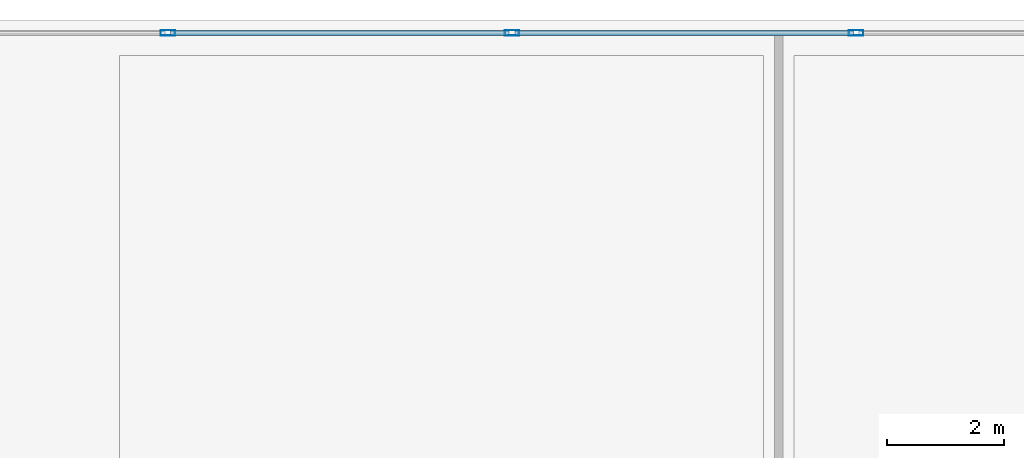
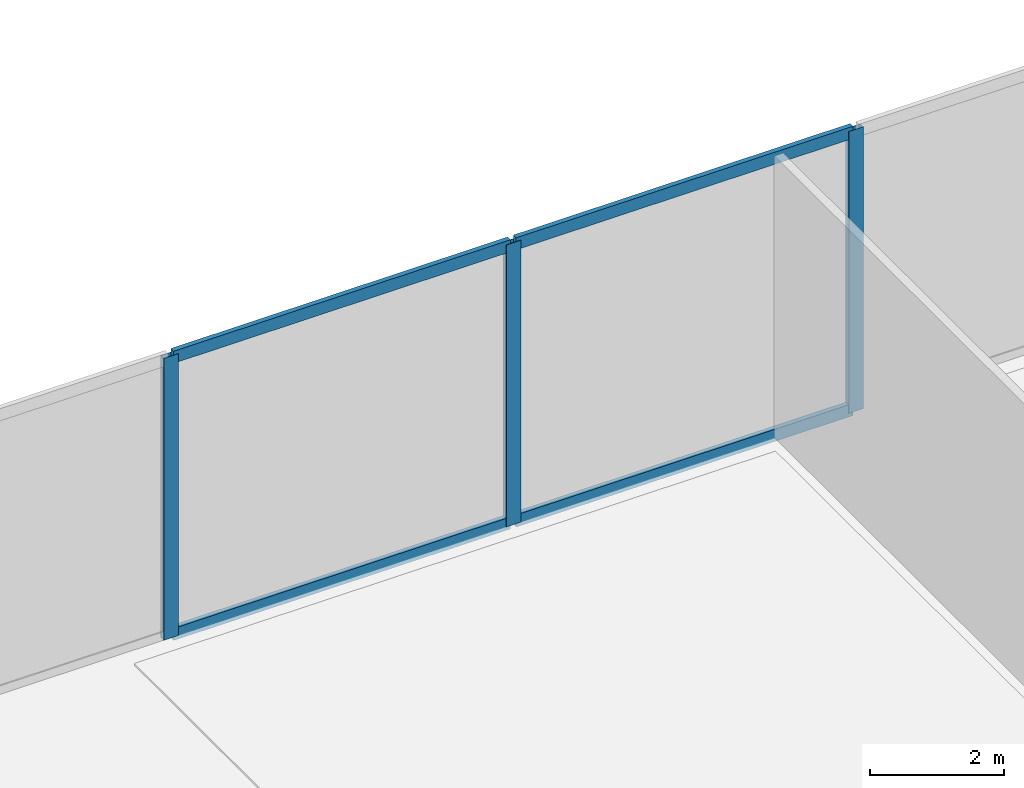
# One storey, part 17 of 27: 7 members, 1 element without a shape of its own.
"""IFC4 building model written with IfcOpenShell, lengths in metres."""

from ifc_helpers import new_model, si_unit, direction, frame, origin, origin_2d, place, context, subcontext, project, spatial, hollow_rectangle, extrude, material, layer, layer_set, material_profile, profile_set, type_object, element, aggregate, save


model = new_model("IFC4")

# Units and contexts
model_context = context("Model", 3, precision=1e-05, world=origin(), true_north=direction((0.0, 1.0)))
body_context = subcontext(model_context, "Body", "Model", "MODEL_VIEW")
ifc_project = project(units=[si_unit("LENGTHUNIT", "METRE"), si_unit("AREAUNIT", "SQUARE_METRE"), si_unit("VOLUMEUNIT", "CUBIC_METRE"), si_unit("PLANEANGLEUNIT", "RADIAN"), si_unit("MASSUNIT", "GRAM", prefix="KILO"), si_unit("THERMODYNAMICTEMPERATUREUNIT", "KELVIN"), si_unit("POWERUNIT", "WATT")], contexts=[model_context])

# Site, building, storey
site_placement = place(None, origin())
site = spatial("IfcSite", under=ifc_project, at=site_placement, CompositionType="ELEMENT")
building_placement = place(site_placement, origin())
building = spatial("IfcBuilding", under=site, at=building_placement, Name="Svarakhadi Broadcast Tower", CompositionType="ELEMENT")
storey_placement = place(building_placement, frame((0.0, 0.0, 16.5)))
storey = spatial("IfcBuildingStorey", under=building, at=storey_placement, Name="L03", CompositionType="ELEMENT", Elevation=16.5)

# Curtain wall, members
ifc_material = material(Name="Anodised Bronze Aluminium AA 6063-T6", Category="aluminium")
ifc_layer = layer(ifc_material, 0.25)
ifc_layer_set = layer_set([ifc_layer], Name="Anodised Bronze Aluminium AA 6063-T6")
curtain_wall_type = type_object("IfcCurtainWallType", Name="CW_Sys_01", PredefinedType="NOTDEFINED", material=ifc_layer_set)
curtain_wall_placement = place(storey_placement, origin())
curtain_wall = element("IfcCurtainWall", 1, at=curtain_wall_placement, inside=storey, type_object=curtain_wall_type, Name="L03 Unitised Facade Curtain Wall 05 Bay 2", PredefinedType="NOTDEFINED")
ifc_material_profile_1 = material_profile(ifc_material, hollow_rectangle(XDim=0.094970703125, YDim=0.25, WallThickness=0.006103515625, at=origin_2d()), Name="ALU MULLION 250x95x6")
ifc_profile_set_1 = profile_set([ifc_material_profile_1], Name="Anodised Bronze Aluminium AA 6063-T6")
member_type_1 = type_object("IfcMemberType", Name="CW_Sys_01_Mul", PredefinedType="MULLION", material=ifc_profile_set_1)
member_1_placement = place(storey_placement, frame((36.340087890625, 47.780029296875, 0.0), z_axis=(0.0, 0.0, 1.0), x_axis=(0.0, 1.0, 0.0)))
member_1 = element("IfcMember", 2, at=member_1_placement, type_object=member_type_1, Name="CW-01 mullion 5", PredefinedType="MULLION", context=body_context, shape_type="SweptSolid", body=[
    extrude(hollow_rectangle(XDim=0.094970703125, YDim=0.25, WallThickness=0.006103515625, at=origin_2d()), origin(), (0.0, 0.0, 1.0), 5.125),
])
member_2_placement = place(storey_placement, frame((42.232421875, 47.780029296875, 0.0), z_axis=(0.0, 0.0, 1.0), x_axis=(0.0, 1.0, 0.0)))
member_2 = element("IfcMember", 3, at=member_2_placement, type_object=member_type_1, Name="CW-01 mullion 6", PredefinedType="MULLION", context=body_context, shape_type="SweptSolid", body=[
    extrude(hollow_rectangle(XDim=0.094970703125, YDim=0.25, WallThickness=0.006103515625, at=origin_2d()), origin(), (0.0, 0.0, 1.0), 5.125),
])
member_3_placement = place(storey_placement, frame((48.125, 47.780029296875, 0.0), z_axis=(0.0, 0.0, 1.0), x_axis=(0.0, 1.0, 0.0)))
member_3 = element("IfcMember", 4, at=member_3_placement, type_object=member_type_1, Name="CW-01 mullion 7", PredefinedType="MULLION", context=body_context, shape_type="SweptSolid", body=[
    extrude(hollow_rectangle(XDim=0.094970703125, YDim=0.25, WallThickness=0.006103515625, at=origin_2d()), origin(), (0.0, 0.0, 1.0), 5.125),
])
ifc_material_profile_2 = material_profile(ifc_material, hollow_rectangle(XDim=0.0849609375, YDim=0.219970703125, WallThickness=0.0048828125, at=origin_2d()), Name="ALU TRANSOM 220x85x5")
ifc_profile_set_2 = profile_set([ifc_material_profile_2], Name="Anodised Bronze Aluminium AA 6063-T6")
member_type_2 = type_object("IfcMemberType", Name="CW_Sys_01_Trn", PredefinedType="USERDEFINED", material=ifc_profile_set_2)
member_4_placement = place(storey_placement, frame((36.387451171875, 47.780029296875, 0.04248046875), z_axis=(1.0, 0.0, 0.0), x_axis=(0.0, 1.0, 0.0)))
member_4 = element("IfcMember", 5, at=member_4_placement, type_object=member_type_2, Name="CW-01 transom 5.1", ObjectType="TRANSOM", PredefinedType="USERDEFINED", context=body_context, shape_type="SweptSolid", body=[
    extrude(hollow_rectangle(XDim=0.0849609375, YDim=0.219970703125, WallThickness=0.0048828125, at=origin_2d()), origin(), (0.0, 0.0, 1.0), 5.797607421875),
])
member_5_placement = place(storey_placement, frame((36.387451171875, 47.780029296875, 5.08251953125), z_axis=(1.0, 0.0, 0.0), x_axis=(0.0, 1.0, 0.0)))
member_5 = element("IfcMember", 6, at=member_5_placement, type_object=member_type_2, Name="CW-01 transom 5.2", ObjectType="TRANSOM", PredefinedType="USERDEFINED", context=body_context, shape_type="SweptSolid", body=[
    extrude(hollow_rectangle(XDim=0.0849609375, YDim=0.219970703125, WallThickness=0.0048828125, at=origin_2d()), origin(), (0.0, 0.0, 1.0), 5.797607421875),
])
member_6_placement = place(storey_placement, frame((42.280029296875, 47.780029296875, 0.04248046875), z_axis=(1.0, 0.0, 0.0), x_axis=(0.0, 1.0, 0.0)))
member_6 = element("IfcMember", 7, at=member_6_placement, type_object=member_type_2, Name="CW-01 transom 6.1", ObjectType="TRANSOM", PredefinedType="USERDEFINED", context=body_context, shape_type="SweptSolid", body=[
    extrude(hollow_rectangle(XDim=0.0849609375, YDim=0.219970703125, WallThickness=0.0048828125, at=origin_2d()), origin(), (0.0, 0.0, 1.0), 5.79736328125),
])
member_7_placement = place(storey_placement, frame((42.280029296875, 47.780029296875, 5.08251953125), z_axis=(1.0, 0.0, 0.0), x_axis=(0.0, 1.0, 0.0)))
member_7 = element("IfcMember", 8, at=member_7_placement, type_object=member_type_2, Name="CW-01 transom 6.2", ObjectType="TRANSOM", PredefinedType="USERDEFINED", context=body_context, shape_type="SweptSolid", body=[
    extrude(hollow_rectangle(XDim=0.0849609375, YDim=0.219970703125, WallThickness=0.0048828125, at=origin_2d()), origin(), (0.0, 0.0, 1.0), 5.79736328125),
])
aggregate(curtain_wall, [member_1, member_2, member_3, member_4, member_5, member_6, member_7])

save(model, "model.ifc")
